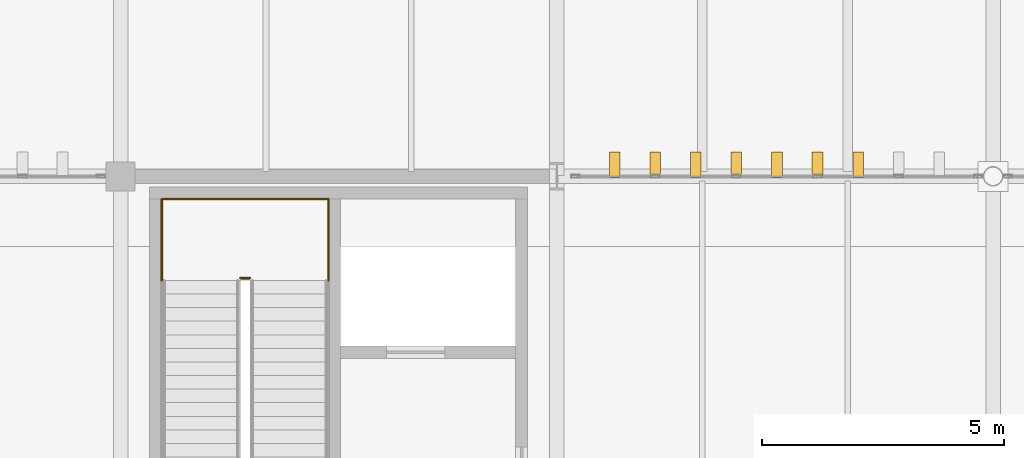
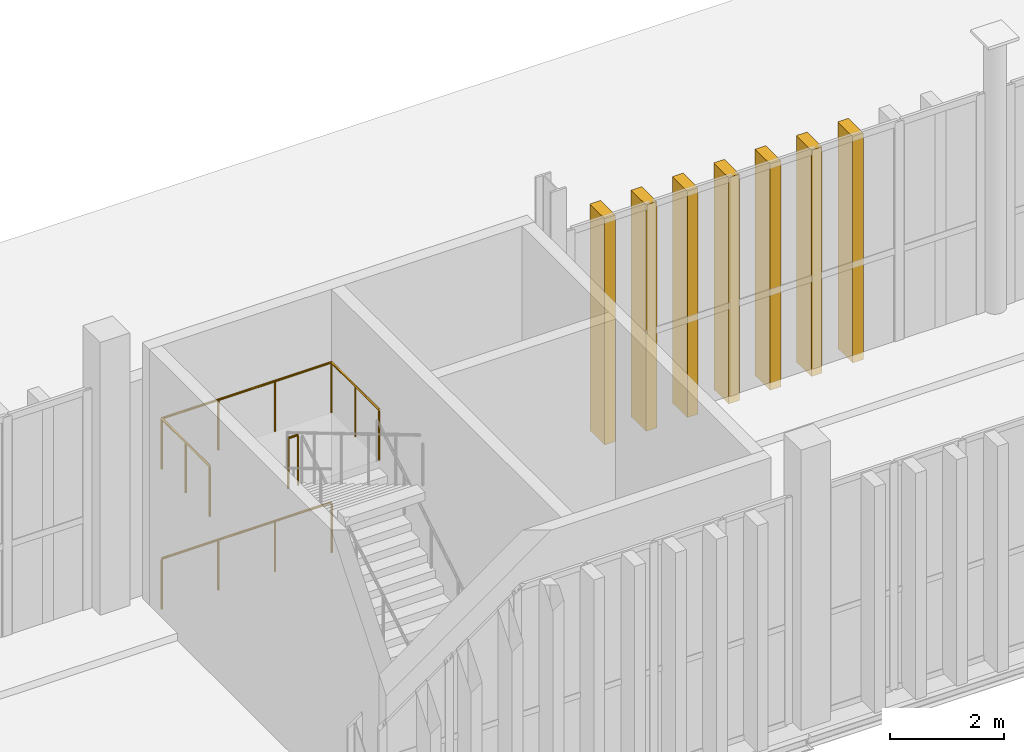
# One storey, part 232 of 237: 7 shading devices, 5 railings.
"""IFC4 building model written with IfcOpenShell, lengths in metres."""

from ifc_helpers import new_model, si_unit, direction, frame, origin, origin_2d, place, context, subcontext, project, spatial, rectangle, circle, extrude, material, type_object, element, save


model = new_model("IFC4")

# Units and contexts
model_context = context("Model", 3, precision=1e-05, world=origin(), true_north=direction((0.0, 1.0)))
body_context = subcontext(model_context, "Body", "Model", "MODEL_VIEW")
ifc_project = project(units=[si_unit("LENGTHUNIT", "METRE"), si_unit("AREAUNIT", "SQUARE_METRE"), si_unit("VOLUMEUNIT", "CUBIC_METRE"), si_unit("PLANEANGLEUNIT", "RADIAN"), si_unit("MASSUNIT", "GRAM", prefix="KILO")], contexts=[model_context])

# Site, building, storey
site_placement = place(None, origin())
site = spatial("IfcSite", under=ifc_project, at=site_placement, CompositionType="ELEMENT")
building_placement = place(site_placement, origin())
building = spatial("IfcBuilding", under=site, at=building_placement, Name="Barlavento Convention Centre", CompositionType="ELEMENT")
storey_placement = place(building_placement, frame((0.0, 0.0, 12.0)))
storey = spatial("IfcBuildingStorey", under=building, at=storey_placement, Name="L02", CompositionType="ELEMENT", Elevation=12.0)

# Railings
ifc_material_1 = material(Name="Stainless steel and laminated glass balustrade", Category="steel")
railing_type = type_object("IfcRailingType", Name="ARC-RAL-BAL-1100", PredefinedType="BALUSTRADE", material=ifc_material_1)
railing_placement = place(storey_placement, frame((146.669921875, 96.89990234375, 3.0)))
element("IfcRailing", 1, at=railing_placement, inside=storey, type_object=railing_type, Name="L02 ST09 stair guard 2", PredefinedType="BALUSTRADE", context=body_context, shape_type="SweptSolid", body=[
    extrude(circle(Radius=0.02392578125, at=origin_2d()), frame((0.0, 0.0, 1.076171875), z_axis=(-1.0, 0.0, 0.0), x_axis=(0.0, -1.0, 0.0)), (0.0, 0.0, 1.0), 0.199951171875),
    extrude(circle(Radius=0.02099609375, at=origin_2d()), origin(), (0.0, 0.0, 1.0), 1.052001953125),
    extrude(circle(Radius=0.02099609375, at=origin_2d()), frame((-0.199951171875, 0.0, 0.0)), (0.0, 0.0, 1.0), 1.052001953125),
])
for number, where, name in (
    (2, (148.2900390625, 96.85009765625, 3.0), "L02 landing guard GR01"),
    (3, (144.85009765625, 96.85009765625, 3.0), "L02 landing guard GR01"),
):
    element("IfcRailing", number, at=place(storey_placement, frame(where)), inside=storey, type_object=railing_type, Name=name, PredefinedType="BALUSTRADE", context=body_context, shape_type="SweptSolid", body=[
        extrude(circle(Radius=0.02392578125, at=origin_2d()), frame((0.0, 0.0, 1.076171875), z_axis=(0.0, 1.0, 0.0), x_axis=(-1.0, 0.0, 0.0)), (0.0, 0.0, 1.0), 1.679931640625),
        extrude(circle(Radius=0.02099609375, at=origin_2d()), origin(), (0.0, 0.0, 1.0), 1.052001953125),
        extrude(circle(Radius=0.02099609375, at=origin_2d()), frame((0.0, 0.83984375, 0.0)), (0.0, 0.0, 1.0), 1.052001953125),
        extrude(circle(Radius=0.02099609375, at=origin_2d()), frame((0.0, 1.679931640625, 0.0)), (0.0, 0.0, 1.0), 1.052001953125),
    ])
for number, where, name in (
    (4, (148.2900390625, 98.530029296875, 3.0), "L02 landing guard GR01"),
    (5, (148.2900390625, 98.530029296875, 0.0), "L02 stairwell perimeter guard GR01"),
):
    element("IfcRailing", number, at=place(storey_placement, frame(where)), inside=storey, type_object=railing_type, Name=name, PredefinedType="BALUSTRADE", context=body_context, shape_type="SweptSolid", body=[
        extrude(circle(Radius=0.02392578125, at=origin_2d()), frame((0.0, 0.0, 1.076171875), z_axis=(-1.0, 0.0, 0.0), x_axis=(0.0, -1.0, 0.0)), (0.0, 0.0, 1.0), 3.43994140625),
        extrude(circle(Radius=0.02099609375, at=origin_2d()), origin(), (0.0, 0.0, 1.0), 1.052001953125),
        extrude(circle(Radius=0.02099609375, at=origin_2d()), frame((-1.146728515625, 0.0, 0.0)), (0.0, 0.0, 1.0), 1.052001953125),
        extrude(circle(Radius=0.02099609375, at=origin_2d()), frame((-2.293212890625, 0.0, 0.0)), (0.0, 0.0, 1.0), 1.052001953125),
        extrude(circle(Radius=0.02099609375, at=origin_2d()), frame((-3.43994140625, 0.0, 0.0)), (0.0, 0.0, 1.0), 1.052001953125),
    ])

# Shading devices
ifc_material_2 = material(Name="PVDF white extruded aluminium", Category="aluminium")
shading_device_type = type_object("IfcShadingDeviceType", Name="ARC-SHD-FIN-480", PredefinedType="USERDEFINED", material=ifc_material_2)
for number, where, z_axis, x_axis, name in (
    (6, (154.193115234375, 99.239990234375, 0.0), (0.0, 0.0, 1.0), (1.0, 0.0, 0.0), "White vertical solar shading fin VF01"),
    (7, (155.0302734375, 99.239990234375, 0.0), (0.0, 0.0, 1.0), (1.0, 0.0, 0.0), "White vertical solar shading fin VF01"),
    (8, (155.8671875, 99.239990234375, 0.0), (0.0, 0.0, 1.0), (1.0, 0.0, 0.0), "White vertical solar shading fin VF01"),
    (9, (156.704345703125, 99.239990234375, 0.0), (0.0, 0.0, 1.0), (1.0, 0.0, 0.0), "White vertical solar shading fin VF01"),
    (10, (157.54150390625, 99.239990234375, 0.0), (0.0, 0.0, 1.0), (1.0, 0.0, 0.0), "White vertical solar shading fin VF01"),
    (11, (158.37841796875, 99.239990234375, 0.0), (0.0, 0.0, 1.0), (1.0, 0.0, 0.0), "White vertical solar shading fin VF01"),
    (12, (159.215576171875, 99.239990234375, 0.0), (0.0, 0.0, 1.0), (1.0, 0.0, 0.0), "White vertical solar shading fin VF01"),
):
    element("IfcShadingDevice", number, at=place(storey_placement, frame(where, z_axis=z_axis, x_axis=x_axis)), inside=storey, type_object=shading_device_type, Name=name, ObjectType="FIN", PredefinedType="USERDEFINED", context=body_context, shape_type="SweptSolid", body=[
        extrude(rectangle(XDim=0.219970703125, YDim=0.52001953125, at=origin_2d()), origin(), (0.0, 0.0, 1.0), 4.85009765625),
    ])

save(model, "model.ifc")
